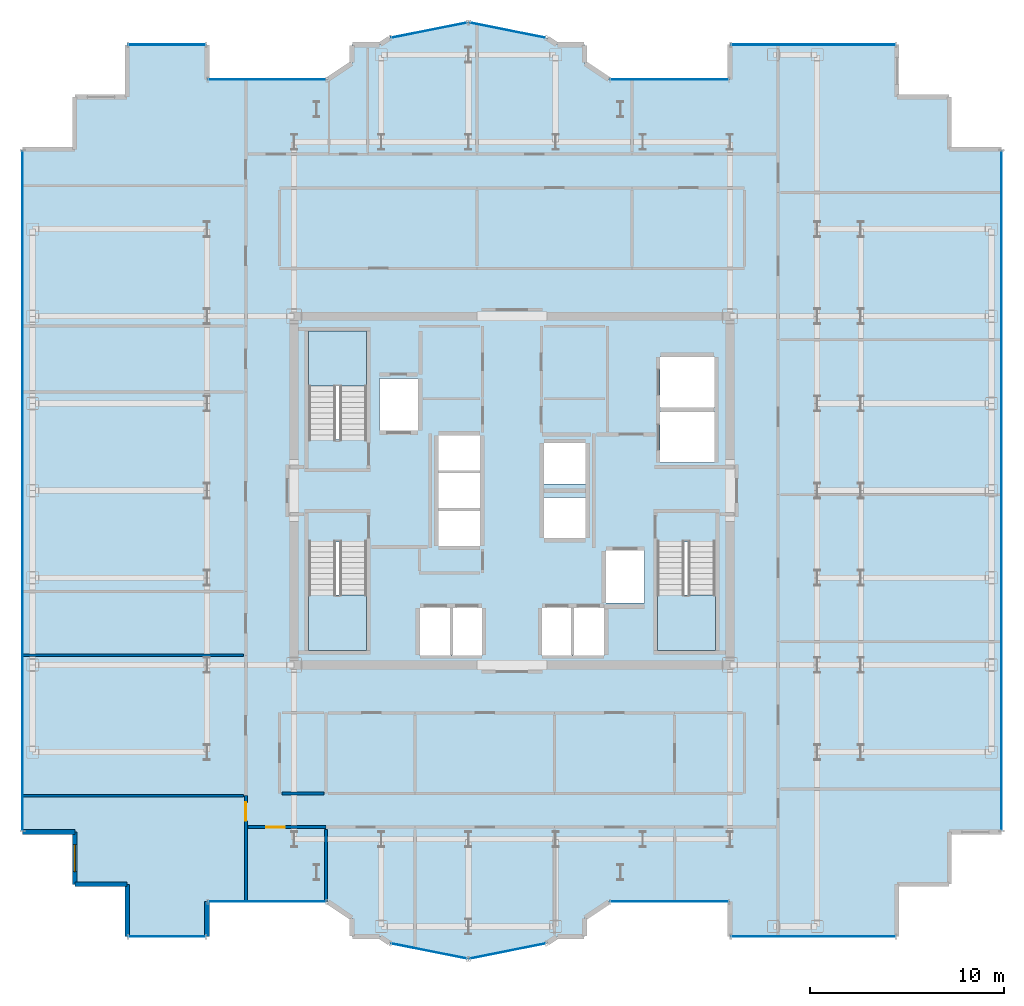
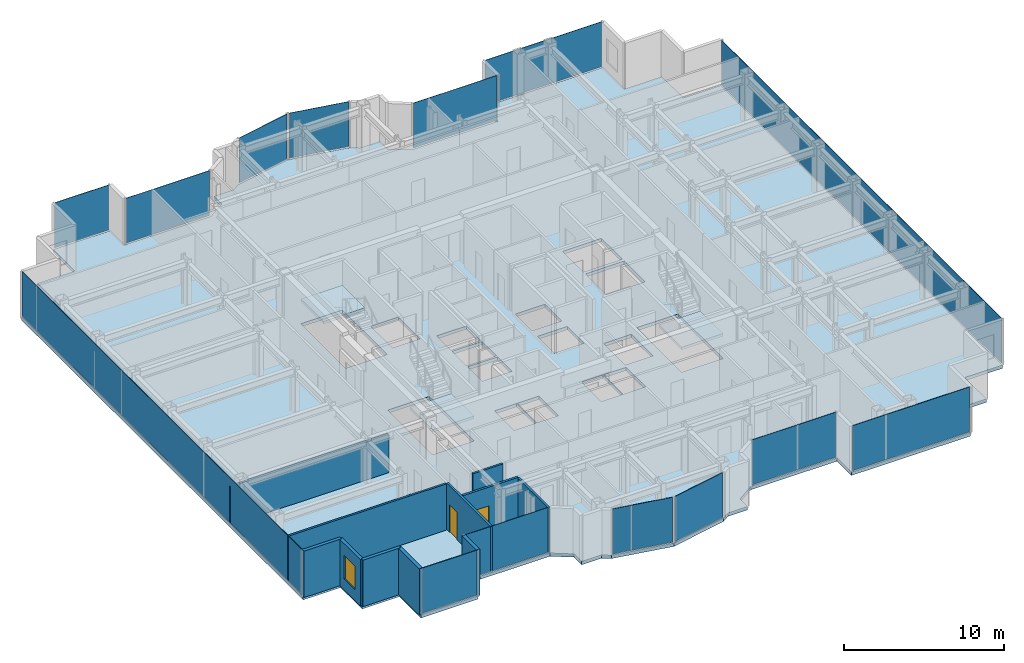
# One storey, part 13 of 20: 14 plates, 11 walls, 4 slabs, 2 doors, 1 window, 3 openings, 17 elements without a shape of their own.
"""IFC4 building model written with IfcOpenShell, lengths in metres."""

from ifc_helpers import new_model, si_unit, direction, frame, frame_2d, origin, origin_2d, place, context, subcontext, project, spatial, polyline, rectangle, outline, extrude, source, transform, mapped, material, layer, layer_set, type_object, element, fill, aggregate, save


model = new_model("IFC4")

# Units and contexts
model_context = context("Model", 3, precision=1e-05, world=origin(), true_north=direction((0.0, 1.0)))
body_context = subcontext(model_context, "Body", "Model", "MODEL_VIEW")
ifc_project = project(units=[si_unit("LENGTHUNIT", "METRE"), si_unit("AREAUNIT", "SQUARE_METRE"), si_unit("VOLUMEUNIT", "CUBIC_METRE"), si_unit("PLANEANGLEUNIT", "RADIAN"), si_unit("MASSUNIT", "GRAM", prefix="KILO")], contexts=[model_context])

# Site, building, storey
site_placement = place(None, origin())
site = spatial("IfcSite", under=ifc_project, at=site_placement, CompositionType="ELEMENT")
building_placement = place(site_placement, origin())
building = spatial("IfcBuilding", under=site, at=building_placement, Name="Nefas-Gora Pilgrimage Tower", CompositionType="ELEMENT")
storey_placement = place(building_placement, frame((0.0, 0.0, 237.0)))
storey = spatial("IfcBuildingStorey", under=building, at=storey_placement, Name="L59", CompositionType="ELEMENT", Elevation=237.0)

# Slab
ifc_material_1 = material(Name="Concrete C40/50", Category="concrete")
ifc_layer_1 = layer(ifc_material_1, 0.25)
ifc_layer_set_1 = layer_set([ifc_layer_1], Name="Concrete C40/50")
slab_type_1 = type_object("IfcSlabType", Name="SLB-TWR-260", PredefinedType="FLOOR", material=ifc_layer_set_1)
slab_1_placement = place(storey_placement, frame((0.0, 0.0, -0.25)))
element("IfcSlab", 1, at=slab_1_placement, inside=storey, type_object=slab_type_1, Name="L59 Structural Floor Slab", PredefinedType="FLOOR", context=body_context, shape_type="SweptSolid", body=[
    extrude(outline(polyline([(5.01806640625, -21.219970703125), (11.25, -21.219970703125), (11.25, -23.02001953125), (19.8701171875, -23.02001953125), (19.8701171875, -20.320068359375), (22.570068359375, -20.320068359375), (22.570068359375, -17.6201171875), (25.27001953125, -17.6201171875), (25.27001953125, 17.6201171875), (22.570068359375, 17.6201171875), (22.570068359375, 20.320068359375), (19.8701171875, 20.320068359375), (19.8701171875, 23.02001953125), (11.25, 23.02001953125), (11.25, 21.219970703125), (5.01806640625, 21.219970703125), (3.75, 22.0673828125), (3.75, 23.02001953125), (2.32421875, 23.02001953125), (1.807373046875, 23.365234375), (-2.25, 24.17236328125), (-6.307373046875, 23.365234375), (-6.82421875, 23.02001953125), (-8.25, 23.02001953125), (-8.25, 22.0673828125), (-9.51806640625, 21.219970703125), (-15.75, 21.219970703125), (-15.75, 23.02001953125), (-19.8701171875, 23.02001953125), (-19.8701171875, 20.320068359375), (-22.570068359375, 20.320068359375), (-22.570068359375, 17.6201171875), (-25.27001953125, 17.6201171875), (-25.27001953125, -17.6201171875), (-22.570068359375, -17.6201171875), (-22.570068359375, -20.320068359375), (-19.8701171875, -20.320068359375), (-19.8701171875, -23.02001953125), (-15.75, -23.02001953125), (-15.75, -21.219970703125), (-9.51806640625, -21.219970703125), (-8.25, -22.0673828125), (-8.25, -23.02001953125), (-6.82421875, -23.02001953125), (-6.307373046875, -23.365234375), (-2.25, -24.17236328125), (1.807373046875, -23.365234375), (2.32421875, -23.02001953125), (3.75, -23.02001953125), (3.75, -22.0673828125), (5.01806640625, -21.219970703125)]), holes=[polyline([(-10.5, 2.639892578125), (-10.5, 8.25), (-7.5, 8.25), (-7.5, 2.639892578125), (-10.5, 2.639892578125)]), polyline([(10.5, -2.639892578125), (10.5, -8.25), (7.5, -8.25), (7.5, -2.639892578125), (10.5, -2.639892578125)]), polyline([(-7.5, -2.639892578125), (-7.5, -8.25), (-10.5, -8.25), (-10.5, -2.639892578125), (-7.5, -2.639892578125)]), polyline([(-6.85009765625, 5.800048828125), (-4.85009765625, 5.800048828125), (-4.85009765625, 3.10009765625), (-6.85009765625, 3.10009765625), (-6.85009765625, 5.800048828125)]), polyline([(4.85009765625, -3.10009765625), (6.85009765625, -3.10009765625), (6.85009765625, -5.800048828125), (4.85009765625, -5.800048828125), (4.85009765625, -3.10009765625)]), polyline([(7.64990234375, 4.050048828125), (10.449951171875, 4.050048828125), (10.449951171875, 1.449951171875), (7.64990234375, 1.449951171875), (7.64990234375, 4.050048828125)]), polyline([(7.64990234375, 6.89990234375), (10.449951171875, 6.89990234375), (10.449951171875, 4.300048828125), (7.64990234375, 4.300048828125), (7.64990234375, 6.89990234375)]), polyline([(-4.75, -6.050048828125), (-3.14990234375, -6.050048828125), (-3.14990234375, -8.5), (-4.75, -8.5), (-4.75, -6.050048828125)]), polyline([(-3.10009765625, -6.050048828125), (-1.550048828125, -6.050048828125), (-1.550048828125, -8.5), (-3.10009765625, -8.5), (-3.10009765625, -6.050048828125)]), polyline([(1.550048828125, -6.050048828125), (3.10009765625, -6.050048828125), (3.10009765625, -8.5), (1.550048828125, -8.5), (1.550048828125, -6.050048828125)]), polyline([(3.14990234375, -6.050048828125), (4.75, -6.050048828125), (4.75, -8.5), (3.14990234375, -8.5), (3.14990234375, -6.050048828125)]), polyline([(-3.800048828125, -1.050048828125), (-1.64990234375, -1.050048828125), (-1.64990234375, -2.85009765625), (-3.800048828125, -2.85009765625), (-3.800048828125, -1.050048828125)]), polyline([(-3.800048828125, 0.89990234375), (-1.64990234375, 0.89990234375), (-1.64990234375, -0.89990234375), (-3.800048828125, -0.89990234375), (-3.800048828125, 0.89990234375)]), polyline([(-3.800048828125, 2.85009765625), (-1.64990234375, 2.85009765625), (-1.64990234375, 1.050048828125), (-3.800048828125, 1.050048828125), (-3.800048828125, 2.85009765625)]), polyline([(1.64990234375, -0.35009765625), (3.800048828125, -0.35009765625), (3.800048828125, -2.449951171875), (1.64990234375, -2.449951171875), (1.64990234375, -0.35009765625)]), polyline([(1.64990234375, 2.449951171875), (3.800048828125, 2.449951171875), (3.800048828125, 0.35009765625), (1.64990234375, 0.35009765625), (1.64990234375, 2.449951171875)])]), origin(), (0.0, 0.0, 1.0), 0.25),
])

# Stair, slab
ifc_material_2 = material(Name="Concrete C45/55", Category="concrete")
stair_type = type_object("IfcStairType", Name="STR-1400-R1727", PredefinedType="HALF_TURN_STAIR", material=ifc_material_2)
stair_1_placement = place(storey_placement, origin())
stair_1 = element("IfcStair", 2, at=stair_1_placement, inside=storey, type_object=stair_type, Name="L59 Pressurised Tower Exit Stair ST-01", PredefinedType="HALF_TURN_STAIR")
ifc_layer_2 = layer(ifc_material_1, 0.199951171875)
ifc_layer_set_2 = layer_set([ifc_layer_2], Name="Concrete C40/50")
slab_type_2 = type_object("IfcSlabType", Name="STR-LAND-200", PredefinedType="LANDING", material=ifc_layer_set_2)
slab_2_placement = place(storey_placement, frame((0.0, 0.0, 1.699951171875)))
slab_2 = element("IfcSlab", 3, at=slab_2_placement, type_object=slab_type_2, Name="ST-01 landing 1", PredefinedType="LANDING", context=body_context, shape_type="SweptSolid", body=[
    extrude(outline(polyline([(-7.5, 5.39990234375), (-7.5, 8.25), (-10.5, 8.25), (-10.5, 5.39990234375), (-7.5, 5.39990234375)])), origin(), (0.0, 0.0, 1.0), 0.199951171875),
])
aggregate(stair_1, [slab_2])

stair_2_placement = place(storey_placement, origin())
stair_2 = element("IfcStair", 4, at=stair_2_placement, inside=storey, type_object=stair_type, Name="L59 Pressurised Tower Exit Stair ST-02", PredefinedType="HALF_TURN_STAIR")
slab_3_placement = place(storey_placement, frame((0.0, 0.0, 1.699951171875)))
slab_3 = element("IfcSlab", 5, at=slab_3_placement, type_object=slab_type_2, Name="ST-02 landing 1", PredefinedType="LANDING", context=body_context, shape_type="SweptSolid", body=[
    extrude(outline(polyline([(7.5, -5.39990234375), (7.5, -8.25), (10.5, -8.25), (10.5, -5.39990234375), (7.5, -5.39990234375)])), origin(), (0.0, 0.0, 1.0), 0.199951171875),
])
aggregate(stair_2, [slab_3])

stair_3_placement = place(storey_placement, origin())
stair_3 = element("IfcStair", 6, at=stair_3_placement, inside=storey, type_object=stair_type, Name="L59 Pressurised Tower Exit Stair ST-03", PredefinedType="HALF_TURN_STAIR")
slab_4_placement = place(storey_placement, frame((0.0, 0.0, 1.699951171875)))
slab_4 = element("IfcSlab", 7, at=slab_4_placement, type_object=slab_type_2, Name="ST-03 landing 1", PredefinedType="LANDING", context=body_context, shape_type="SweptSolid", body=[
    extrude(outline(polyline([(-10.5, -5.39990234375), (-10.5, -8.25), (-7.5, -8.25), (-7.5, -5.39990234375), (-10.5, -5.39990234375)])), origin(), (0.0, 0.0, 1.0), 0.199951171875),
])
aggregate(stair_3, [slab_4])

# Curtain wall, plate
ifc_material_3 = material(Name="Dark ceramic-fritted solar-control aluminium-glass curtain wall", Category="aluminium")
ifc_layer_3 = layer(ifc_material_3, 0.219970703125)
ifc_layer_set_3 = layer_set([ifc_layer_3], Name="Dark ceramic-fritted solar-control aluminium-glass curtain wall")
curtain_wall_type_1 = type_object("IfcCurtainWallType", Name="CW-SYS-5", PredefinedType="NOTDEFINED", material=ifc_layer_set_3)
curtain_wall_1_placement = place(storey_placement, origin())
curtain_wall_1 = element("IfcCurtainWall", 8, at=curtain_wall_1_placement, inside=storey, type_object=curtain_wall_type_1, Name="L59 Unitised Curtain Wall CW5", PredefinedType="NOTDEFINED")
ifc_material_4 = material(Name="Dark ceramic-printed low-e insulated glass", Category="glass")
ifc_layer_4 = layer(ifc_material_4, 0.028076171875)
ifc_layer_set_4 = layer_set([ifc_layer_4], Name="Dark ceramic-printed low-e insulated glass")
plate_type_1 = type_object("IfcPlateType", Name="CWP-PNL-5", PredefinedType="CURTAIN_PANEL", material=ifc_layer_set_4)
shared_shape_1 = source(origin(), body_context, "Body", "SweptSolid", [
    extrude(rectangle(XDim=6.052001953125, YDim=0.028076171875, at=origin_2d()), origin(), (0.0, 0.0, 1.0), 3.43994140625),
])
plate_1_placement = place(storey_placement, frame((8.134033203125, -21.219970703125, 0.10009765625), z_axis=(0.0, 0.0, 1.0), x_axis=(1.0, 0.0, 0.0)))
plate_1 = element("IfcPlate", 9, at=plate_1_placement, type_object=plate_type_1, Name="CW5 Ceramic-Fritted Glazing Panel 1", PredefinedType="CURTAIN_PANEL", context=body_context, shape_type="MappedRepresentation", body=[
    mapped(shared_shape_1, transform((0.0, 0.0, 0.0), x_axis=(1.0, 0.0, 0.0), y_axis=(0.0, 1.0, 0.0), z_axis=(0.0, 0.0, 1.0), scale=1.0)),
])
aggregate(curtain_wall_1, [plate_1])

curtain_wall_2_placement = place(storey_placement, origin())
curtain_wall_2 = element("IfcCurtainWall", 10, at=curtain_wall_2_placement, inside=storey, type_object=curtain_wall_type_1, Name="L59 Unitised Curtain Wall CW5", PredefinedType="NOTDEFINED")
plate_2_placement = place(storey_placement, frame((8.134033203125, 21.219970703125, 0.10009765625), z_axis=(0.0, 0.0, 1.0), x_axis=(-1.0, 0.0, 0.0)))
plate_2 = element("IfcPlate", 11, at=plate_2_placement, type_object=plate_type_1, Name="CW5 Ceramic-Fritted Glazing Panel 1", PredefinedType="CURTAIN_PANEL", context=body_context, shape_type="MappedRepresentation", body=[
    mapped(shared_shape_1, transform((0.0, 0.0, 0.0), x_axis=(1.0, 0.0, 0.0), y_axis=(0.0, 1.0, 0.0), z_axis=(0.0, 0.0, 1.0), scale=1.0)),
])
aggregate(curtain_wall_2, [plate_2])

curtain_wall_3_placement = place(storey_placement, origin())
curtain_wall_3 = element("IfcCurtainWall", 12, at=curtain_wall_3_placement, inside=storey, type_object=curtain_wall_type_1, Name="L59 Unitised Curtain Wall CW5", PredefinedType="NOTDEFINED")
plate_3_placement = place(storey_placement, frame((-12.634033203125, 21.219970703125, 0.10009765625), z_axis=(0.0, 0.0, 1.0), x_axis=(-1.0, 0.0, 0.0)))
plate_3 = element("IfcPlate", 13, at=plate_3_placement, type_object=plate_type_1, Name="CW5 Ceramic-Fritted Glazing Panel 1", PredefinedType="CURTAIN_PANEL", context=body_context, shape_type="MappedRepresentation", body=[
    mapped(shared_shape_1, transform((0.0, 0.0, 0.0), x_axis=(1.0, 0.0, 0.0), y_axis=(0.0, 1.0, 0.0), z_axis=(0.0, 0.0, 1.0), scale=1.0)),
])
aggregate(curtain_wall_3, [plate_3])

curtain_wall_4_placement = place(storey_placement, origin())
curtain_wall_4 = element("IfcCurtainWall", 14, at=curtain_wall_4_placement, inside=storey, type_object=curtain_wall_type_1, Name="L59 Unitised Curtain Wall CW5", PredefinedType="NOTDEFINED")
plate_4_placement = place(storey_placement, frame((-12.634033203125, -21.219970703125, 0.10009765625), z_axis=(0.0, 0.0, 1.0), x_axis=(1.0, 0.0, 0.0)))
plate_4 = element("IfcPlate", 15, at=plate_4_placement, type_object=plate_type_1, Name="CW5 Ceramic-Fritted Glazing Panel 1", PredefinedType="CURTAIN_PANEL", context=body_context, shape_type="MappedRepresentation", body=[
    mapped(shared_shape_1, transform((0.0, 0.0, 0.0), x_axis=(1.0, 0.0, 0.0), y_axis=(0.0, 1.0, 0.0), z_axis=(0.0, 0.0, 1.0), scale=1.0)),
])
aggregate(curtain_wall_4, [plate_4])

curtain_wall_5_placement = place(storey_placement, origin())
curtain_wall_5 = element("IfcCurtainWall", 16, at=curtain_wall_5_placement, inside=storey, type_object=curtain_wall_type_1, Name="L59 Unitised Curtain Wall CW5", PredefinedType="NOTDEFINED")
shared_shape_2 = source(origin(), body_context, "Body", "SweptSolid", [
    extrude(rectangle(XDim=3.956787109375, YDim=0.028076171875, at=origin_2d()), origin(), (0.0, 0.0, 1.0), 3.43994140625),
])
plate_5_placement = place(storey_placement, frame((-0.22119140625, 23.768798828125, 0.10009765625), z_axis=(0.0, 0.0, 1.0), x_axis=(-0.980782896852, 0.195102304554, 0.0)))
plate_5 = element("IfcPlate", 17, at=plate_5_placement, type_object=plate_type_1, Name="CW5 Ceramic-Fritted Glazing Panel 1", PredefinedType="CURTAIN_PANEL", context=body_context, shape_type="MappedRepresentation", body=[
    mapped(shared_shape_2, transform((0.0, 0.0, 0.0), x_axis=(1.0, 0.0, 0.0), y_axis=(0.0, 1.0, 0.0), z_axis=(0.0, 0.0, 1.0), scale=1.0)),
])
aggregate(curtain_wall_5, [plate_5])

curtain_wall_6_placement = place(storey_placement, origin())
curtain_wall_6 = element("IfcCurtainWall", 18, at=curtain_wall_6_placement, inside=storey, type_object=curtain_wall_type_1, Name="L59 Unitised Curtain Wall CW5", PredefinedType="NOTDEFINED")
plate_6_placement = place(storey_placement, frame((-4.278564453125, 23.768798828125, 0.10009765625), z_axis=(0.0, 0.0, 1.0), x_axis=(-0.980782896852, -0.195102304554, 0.0)))
plate_6 = element("IfcPlate", 19, at=plate_6_placement, type_object=plate_type_1, Name="CW5 Ceramic-Fritted Glazing Panel 1", PredefinedType="CURTAIN_PANEL", context=body_context, shape_type="MappedRepresentation", body=[
    mapped(shared_shape_2, transform((0.0, 0.0, 0.0), x_axis=(1.0, 0.0, 0.0), y_axis=(0.0, 1.0, 0.0), z_axis=(0.0, 0.0, 1.0), scale=1.0)),
])
aggregate(curtain_wall_6, [plate_6])

curtain_wall_7_placement = place(storey_placement, origin())
curtain_wall_7 = element("IfcCurtainWall", 20, at=curtain_wall_7_placement, inside=storey, type_object=curtain_wall_type_1, Name="L59 Unitised Curtain Wall CW5", PredefinedType="NOTDEFINED")
plate_7_placement = place(storey_placement, frame((-4.278564453125, -23.768798828125, 0.10009765625), z_axis=(0.0, 0.0, 1.0), x_axis=(0.980782896852, -0.195102304554, 0.0)))
plate_7 = element("IfcPlate", 21, at=plate_7_placement, type_object=plate_type_1, Name="CW5 Ceramic-Fritted Glazing Panel 1", PredefinedType="CURTAIN_PANEL", context=body_context, shape_type="MappedRepresentation", body=[
    mapped(shared_shape_2, transform((0.0, 0.0, 0.0), x_axis=(1.0, 0.0, 0.0), y_axis=(0.0, 1.0, 0.0), z_axis=(0.0, 0.0, 1.0), scale=1.0)),
])
aggregate(curtain_wall_7, [plate_7])

curtain_wall_8_placement = place(storey_placement, origin())
curtain_wall_8 = element("IfcCurtainWall", 22, at=curtain_wall_8_placement, inside=storey, type_object=curtain_wall_type_1, Name="L59 Unitised Curtain Wall CW5", PredefinedType="NOTDEFINED")
plate_8_placement = place(storey_placement, frame((-0.221435546875, -23.768798828125, 0.10009765625), z_axis=(0.0, 0.0, 1.0), x_axis=(0.980782896852, 0.195102304554, 0.0)))
plate_8 = element("IfcPlate", 23, at=plate_8_placement, type_object=plate_type_1, Name="CW5 Ceramic-Fritted Glazing Panel 1", PredefinedType="CURTAIN_PANEL", context=body_context, shape_type="MappedRepresentation", body=[
    mapped(shared_shape_2, transform((0.0, 0.0, 0.0), x_axis=(1.0, 0.0, 0.0), y_axis=(0.0, 1.0, 0.0), z_axis=(0.0, 0.0, 1.0), scale=1.0)),
])
aggregate(curtain_wall_8, [plate_8])

ifc_layer_5 = layer(ifc_material_3, 0.219970703125)
ifc_layer_set_5 = layer_set([ifc_layer_5], Name="Dark ceramic-fritted solar-control aluminium-glass curtain wall")
curtain_wall_type_2 = type_object("IfcCurtainWallType", Name="CW-SYS-3", PredefinedType="NOTDEFINED", material=ifc_layer_set_5)
curtain_wall_9_placement = place(storey_placement, origin())
curtain_wall_9 = element("IfcCurtainWall", 24, at=curtain_wall_9_placement, inside=storey, type_object=curtain_wall_type_2, Name="L59 Unitised Curtain Wall CW3", PredefinedType="NOTDEFINED")
ifc_layer_6 = layer(ifc_material_4, 0.033935546875)
ifc_layer_set_6 = layer_set([ifc_layer_6], Name="Dark ceramic-printed low-e insulated glass")
plate_type_2 = type_object("IfcPlateType", Name="CWP-PNL-3", PredefinedType="CURTAIN_PANEL", material=ifc_layer_set_6)
shared_shape_3 = source(origin(), body_context, "Body", "SweptSolid", [
    extrude(rectangle(XDim=8.43994140625, YDim=0.033935546875, at=origin_2d()), origin(), (0.0, 0.0, 1.0), 3.43994140625),
])
plate_9_placement = place(storey_placement, frame((15.56005859375, -23.02001953125, 0.10009765625), z_axis=(0.0, 0.0, 1.0), x_axis=(1.0, 0.0, 0.0)))
plate_9 = element("IfcPlate", 25, at=plate_9_placement, type_object=plate_type_2, Name="CW3 Ceramic-Fritted Glazing Panel 1", PredefinedType="CURTAIN_PANEL", context=body_context, shape_type="MappedRepresentation", body=[
    mapped(shared_shape_3, transform((0.0, 0.0, 0.0), x_axis=(1.0, 0.0, 0.0), y_axis=(0.0, 1.0, 0.0), z_axis=(0.0, 0.0, 1.0), scale=1.0)),
])
aggregate(curtain_wall_9, [plate_9])

curtain_wall_10_placement = place(storey_placement, origin())
curtain_wall_10 = element("IfcCurtainWall", 26, at=curtain_wall_10_placement, inside=storey, type_object=curtain_wall_type_2, Name="L59 Unitised Curtain Wall CW3", PredefinedType="NOTDEFINED")
plate_10_placement = place(storey_placement, frame((15.56005859375, 23.02001953125, 0.10009765625), z_axis=(0.0, 0.0, 1.0), x_axis=(-1.0, 0.0, 0.0)))
plate_10 = element("IfcPlate", 27, at=plate_10_placement, type_object=plate_type_2, Name="CW3 Ceramic-Fritted Glazing Panel 1", PredefinedType="CURTAIN_PANEL", context=body_context, shape_type="MappedRepresentation", body=[
    mapped(shared_shape_3, transform((0.0, 0.0, 0.0), x_axis=(1.0, 0.0, 0.0), y_axis=(0.0, 1.0, 0.0), z_axis=(0.0, 0.0, 1.0), scale=1.0)),
])
aggregate(curtain_wall_10, [plate_10])

curtain_wall_11_placement = place(storey_placement, origin())
curtain_wall_11 = element("IfcCurtainWall", 28, at=curtain_wall_11_placement, inside=storey, type_object=curtain_wall_type_2, Name="L59 Unitised Curtain Wall CW3", PredefinedType="NOTDEFINED")
shared_shape_4 = source(origin(), body_context, "Body", "SweptSolid", [
    extrude(rectangle(XDim=35.06005859375, YDim=0.033935546875, at=origin_2d()), origin(), (0.0, 0.0, 1.0), 3.43994140625),
])
plate_11_placement = place(storey_placement, frame((25.27001953125, 0.0, 0.10009765625), z_axis=(0.0, 0.0, 1.0), x_axis=(0.0, 1.0, 0.0)))
plate_11 = element("IfcPlate", 29, at=plate_11_placement, type_object=plate_type_2, Name="CW3 Ceramic-Fritted Glazing Panel 1", PredefinedType="CURTAIN_PANEL", context=body_context, shape_type="MappedRepresentation", body=[
    mapped(shared_shape_4, transform((0.0, 0.0, 0.0), x_axis=(1.0, 0.0, 0.0), y_axis=(0.0, 1.0, 0.0), z_axis=(0.0, 0.0, 1.0), scale=1.0)),
])
aggregate(curtain_wall_11, [plate_11])

curtain_wall_12_placement = place(storey_placement, origin())
curtain_wall_12 = element("IfcCurtainWall", 30, at=curtain_wall_12_placement, inside=storey, type_object=curtain_wall_type_2, Name="L59 Unitised Curtain Wall CW3", PredefinedType="NOTDEFINED")
plate_12_placement = place(storey_placement, frame((-25.27001953125, 0.0, 0.10009765625), z_axis=(0.0, 0.0, 1.0), x_axis=(0.0, -1.0, 0.0)))
plate_12 = element("IfcPlate", 31, at=plate_12_placement, type_object=plate_type_2, Name="CW3 Ceramic-Fritted Glazing Panel 1", PredefinedType="CURTAIN_PANEL", context=body_context, shape_type="MappedRepresentation", body=[
    mapped(shared_shape_4, transform((0.0, 0.0, 0.0), x_axis=(1.0, 0.0, 0.0), y_axis=(0.0, 1.0, 0.0), z_axis=(0.0, 0.0, 1.0), scale=1.0)),
])
aggregate(curtain_wall_12, [plate_12])

curtain_wall_13_placement = place(storey_placement, origin())
curtain_wall_13 = element("IfcCurtainWall", 32, at=curtain_wall_13_placement, inside=storey, type_object=curtain_wall_type_2, Name="L59 Unitised Curtain Wall CW3", PredefinedType="NOTDEFINED")
shared_shape_5 = source(origin(), body_context, "Body", "SweptSolid", [
    extrude(rectangle(XDim=3.93994140625, YDim=0.033935546875, at=origin_2d()), origin(), (0.0, 0.0, 1.0), 3.43994140625),
])
plate_13_placement = place(storey_placement, frame((-17.81005859375, 23.02001953125, 0.10009765625), z_axis=(0.0, 0.0, 1.0), x_axis=(-1.0, 0.0, 0.0)))
plate_13 = element("IfcPlate", 33, at=plate_13_placement, type_object=plate_type_2, Name="CW3 Ceramic-Fritted Glazing Panel 1", PredefinedType="CURTAIN_PANEL", context=body_context, shape_type="MappedRepresentation", body=[
    mapped(shared_shape_5, transform((0.0, 0.0, 0.0), x_axis=(1.0, 0.0, 0.0), y_axis=(0.0, 1.0, 0.0), z_axis=(0.0, 0.0, 1.0), scale=1.0)),
])
aggregate(curtain_wall_13, [plate_13])

curtain_wall_14_placement = place(storey_placement, origin())
curtain_wall_14 = element("IfcCurtainWall", 34, at=curtain_wall_14_placement, inside=storey, type_object=curtain_wall_type_2, Name="L59 Unitised Curtain Wall CW3", PredefinedType="NOTDEFINED")
plate_14_placement = place(storey_placement, frame((-17.81005859375, -23.02001953125, 0.10009765625), z_axis=(0.0, 0.0, 1.0), x_axis=(1.0, 0.0, 0.0)))
plate_14 = element("IfcPlate", 35, at=plate_14_placement, type_object=plate_type_2, Name="CW3 Ceramic-Fritted Glazing Panel 1", PredefinedType="CURTAIN_PANEL", context=body_context, shape_type="MappedRepresentation", body=[
    mapped(shared_shape_5, transform((0.0, 0.0, 0.0), x_axis=(1.0, 0.0, 0.0), y_axis=(0.0, 1.0, 0.0), z_axis=(0.0, 0.0, 1.0), scale=1.0)),
])
aggregate(curtain_wall_14, [plate_14])

# Walls
ifc_material_5 = material(Name="Precast concrete C40/50", Category="concrete")
ifc_layer_7 = layer(ifc_material_5, 0.260009765625)
ifc_layer_set_7 = layer_set([ifc_layer_7], Name="Precast concrete C40/50")
wall_type_1 = type_object("IfcWallType", Name="EW-PORTAL-260", PredefinedType="SOLIDWALL", material=ifc_layer_set_7)
shared_shape_6 = source(origin(), body_context, "Body", "SweptSolid", [
    extrude(rectangle(XDim=1.800048828125, YDim=0.260009765625, at=frame_2d((0.89990234375, 0.0))), origin(), (0.0, 0.0, 1.0), 3.550048828125),
])
wall_1_placement = place(storey_placement, frame((-15.75, -23.02001953125, 0.0), z_axis=(0.0, 0.0, 1.0), x_axis=(0.0, 1.0, 0.0)))
element("IfcWall", 36, at=wall_1_placement, inside=storey, type_object=wall_type_1, Name="L59 Lobe Shoulder Precast Spandrel Pier 28", PredefinedType="SOLIDWALL", context=body_context, shape_type="MappedRepresentation", body=[
    mapped(shared_shape_6, transform((0.0, 0.0, 0.0), x_axis=(1.0, 0.0, 0.0), y_axis=(0.0, 1.0, 0.0), z_axis=(0.0, 0.0, 1.0), scale=1.0)),
])
ifc_material_6 = material(Name="Precast concrete C45/55", Category="concrete")
ifc_layer_8 = layer(ifc_material_6, 0.239990234375)
ifc_layer_set_8 = layer_set([ifc_layer_8], Name="Precast concrete C45/55")
wall_type_2 = type_object("IfcWallType", Name="EW-SERR-240", PredefinedType="SHEAR", material=ifc_layer_set_8)
shared_shape_7 = source(origin(), body_context, "Body", "SweptSolid", [
    extrude(rectangle(XDim=2.699951171875, YDim=0.239990234375, at=frame_2d((1.35009765625, 0.0))), origin(), (0.0, 0.0, 1.0), 3.550048828125),
])
wall_2_placement = place(storey_placement, frame((-25.27001953125, -17.6201171875, 0.0), z_axis=(0.0, 0.0, 1.0), x_axis=(1.0, 0.0, 0.0)))
element("IfcWall", 37, at=wall_2_placement, inside=storey, type_object=wall_type_2, Name="L59 Serrated Corner Shear Pier Wall 24", PredefinedType="SHEAR", context=body_context, shape_type="MappedRepresentation", body=[
    mapped(shared_shape_7, transform((0.0, 0.0, 0.0), x_axis=(1.0, 0.0, 0.0), y_axis=(0.0, 1.0, 0.0), z_axis=(0.0, 0.0, 1.0), scale=1.0)),
])

# Wall, opening, window
wall_3_placement = place(storey_placement, frame((-22.570068359375, -17.6201171875, 0.0), z_axis=(0.0, 0.0, 1.0), x_axis=(0.0, -1.0, 0.0)))
wall_3 = element("IfcWall", 38, at=wall_3_placement, inside=storey, type_object=wall_type_2, Name="L59 Serrated Corner Shear Pier Wall 25", PredefinedType="SHEAR", context=body_context, shape_type="MappedRepresentation", body=[
    mapped(shared_shape_7, transform((0.0, 0.0, 0.0), x_axis=(1.0, 0.0, 0.0), y_axis=(0.0, 1.0, 0.0), z_axis=(0.0, 0.0, 1.0), scale=1.0)),
])
opening_1_placement = place(wall_3_placement, frame((0.64990234375, 0.0, 0.85009765625)))
opening_1 = element("IfcOpeningElement", 39, at=opening_1_placement, cuts=wall_3, Name="Opening W-V2", PredefinedType="OPENING", context=body_context, shape_type="SweptSolid", body=[
    extrude(rectangle(XDim=1.39990234375, YDim=1.800048828125, at=frame_2d((0.699951171875, 0.89990234375))), frame((0.0, 0.1298828125, 0.0), z_axis=(0.0, -1.0, 0.0), x_axis=(1.0, 0.0, 0.0)), (0.0, 0.0, 1.0), 0.260009765625),
])
ifc_material_7 = material(Name="Dark ceramic-fritted operable aluminium-glass window", Category="aluminium")
window_type = type_object("IfcWindowType", Name="WIN-VENT-1400x1800", PartitioningType="SINGLE_PANEL", PredefinedType="WINDOW", material=ifc_material_7)
shared_shape_8 = source(origin(), body_context, "Body", "SweptSolid", [
    extrude(rectangle(XDim=1.39990234375, YDim=1.800048828125, at=frame_2d((0.699951171875, 0.89990234375))), frame((0.0, 0.030029296875, 0.0), z_axis=(0.0, -1.0, 0.0), x_axis=(1.0, 0.0, 0.0)), (0.0, 0.0, 1.0), 0.06005859375),
])
window_placement = place(opening_1_placement, origin())
window = element("IfcWindow", 40, at=window_placement, inside=storey, type_object=window_type, Name="L59 Operable Parallel-Outswing Window 25", OverallHeight=1.800048828125, OverallWidth=1.39990234375, PartitioningType="SINGLE_PANEL", PredefinedType="WINDOW", context=body_context, shape_type="MappedRepresentation", body=[
    mapped(shared_shape_8, transform((0.0, 0.0, 0.0), x_axis=(1.0, 0.0, 0.0), y_axis=(0.0, 1.0, 0.0), z_axis=(0.0, 0.0, 1.0), scale=1.0)),
])
fill(opening_1, window)

# Walls
for number, where, z_axis, x_axis, name in (
    (41, (-22.570068359375, -20.320068359375, 0.0), (0.0, 0.0, 1.0), (1.0, 0.0, 0.0), "L59 Serrated Corner Shear Pier Wall 26"),
    (42, (-19.8701171875, -20.320068359375, 0.0), (0.0, 0.0, 1.0), (0.0, -1.0, 0.0), "L59 Serrated Corner Shear Pier Wall 27"),
):
    element("IfcWall", number, at=place(storey_placement, frame(where, z_axis=z_axis, x_axis=x_axis)), inside=storey, type_object=wall_type_2, Name=name, PredefinedType="SHEAR", context=body_context, shape_type="MappedRepresentation", body=[
        mapped(shared_shape_7, transform((0.0, 0.0, 0.0), x_axis=(1.0, 0.0, 0.0), y_axis=(0.0, 1.0, 0.0), z_axis=(0.0, 0.0, 1.0), scale=1.0)),
    ])

# Wall, opening, door
ifc_material_8 = material(Name="Gypsum acoustic stud partition")
ifc_layer_9 = layer(ifc_material_8, 0.159912109375)
ifc_layer_set_9 = layer_set([ifc_layer_9], Name="Gypsum acoustic stud partition")
wall_type_3 = type_object("IfcWallType", Name="IW-CORR-160", PredefinedType="PARTITIONING", material=ifc_layer_set_9)
shared_shape_9 = source(origin(), body_context, "Body", "SweptSolid", [
    extrude(rectangle(XDim=4.025146484375, YDim=0.159912109375, at=frame_2d((2.0126953125, 0.0))), origin(), (0.0, 0.0, 1.0), 3.534912109375),
])
wall_4_placement = place(storey_placement, frame((-13.6201171875, -17.3701171875, 0.0), z_axis=(0.0, 0.0, 1.0), x_axis=(1.0, 0.0, 0.0)))
wall_4 = element("IfcWall", 43, at=wall_4_placement, inside=storey, type_object=wall_type_3, Name="L59 Pilgrim Contemplative Lounge Partition Wall 72", PredefinedType="PARTITIONING", context=body_context, shape_type="MappedRepresentation", body=[
    mapped(shared_shape_9, transform((0.0, 0.0, 0.0), x_axis=(1.0, 0.0, 0.0), y_axis=(0.0, 1.0, 0.0), z_axis=(0.0, 0.0, 1.0), scale=1.0)),
])
opening_2_placement = place(wall_4_placement, frame((0.933837890625, 0.0, 0.0)))
opening_2 = element("IfcOpeningElement", 44, at=opening_2_placement, cuts=wall_4, Name="Opening ID-GR1", PredefinedType="OPENING", context=body_context, shape_type="SweptSolid", body=[
    extrude(rectangle(XDim=0.949951171875, YDim=2.10009765625, at=frame_2d((0.47509765625, 1.050048828125))), frame((0.0, 0.08984375, 0.0), z_axis=(0.0, -1.0, 0.0), x_axis=(1.0, 0.0, 0.0)), (0.0, 0.0, 1.0), 0.179931640625),
])
ifc_material_9 = material(Name="Solid core oak fire-rated guest entrance door")
door_type = type_object("IfcDoorType", Name="DR-INT-GUEST-950", OperationType="NOTDEFINED", PredefinedType="DOOR", material=ifc_material_9)
shared_shape_10 = source(origin(), body_context, "Body", "SweptSolid", [
    extrude(rectangle(XDim=0.949951171875, YDim=2.10009765625, at=frame_2d((0.47509765625, 1.050048828125))), frame((0.0, 0.02490234375, 0.0), z_axis=(0.0, -1.0, 0.0), x_axis=(1.0, 0.0, 0.0)), (0.0, 0.0, 1.0), 0.050048828125),
])
door_1_placement = place(opening_2_placement, origin())
door_1 = element("IfcDoor", 45, at=door_1_placement, inside=storey, type_object=door_type, Name="L59 Pilgrim Contemplative Lounge Door 33", OperationType="SINGLE_SWING_LEFT", OverallHeight=2.10009765625, OverallWidth=0.949951171875, PredefinedType="DOOR", context=body_context, shape_type="MappedRepresentation", body=[
    mapped(shared_shape_10, transform((0.0, 0.0, 0.0), x_axis=(1.0, 0.0, 0.0), y_axis=(0.0, 1.0, 0.0), z_axis=(0.0, 0.0, 1.0), scale=1.0)),
])
fill(opening_2, door_1)

# Walls
ifc_material_10 = material(Name="Gypsum twin-stud partition")
ifc_layer_10 = layer(ifc_material_10, 0.139892578125)
ifc_layer_set_10 = layer_set([ifc_layer_10], Name="Gypsum twin-stud partition")
wall_type_4 = type_object("IfcWallType", Name="IW-UNIT-140", PredefinedType="PARTITIONING", material=ifc_layer_set_10)
shared_shape_11 = source(origin(), body_context, "Body", "SweptSolid", [
    extrude(rectangle(XDim=11.429931640625, YDim=0.139892578125, at=frame_2d((5.71484375, 0.0))), origin(), (0.0, 0.0, 1.0), 3.534912109375),
])
wall_5_placement = place(storey_placement, frame((-25.2900390625, -15.74755859375, 0.0), z_axis=(0.0, 0.0, 1.0), x_axis=(1.0, 0.0, 0.0)))
element("IfcWall", 46, at=wall_5_placement, inside=storey, type_object=wall_type_4, Name="L59 Pilgrim Devotional Prayer Gallery Partition Wall 33", PredefinedType="PARTITIONING", context=body_context, shape_type="MappedRepresentation", body=[
    mapped(shared_shape_11, transform((0.0, 0.0, 0.0), x_axis=(1.0, 0.0, 0.0), y_axis=(0.0, 1.0, 0.0), z_axis=(0.0, 0.0, 1.0), scale=1.0)),
])
shared_shape_12 = source(origin(), body_context, "Body", "SweptSolid", [
    extrude(rectangle(XDim=3.75, YDim=0.139892578125, at=frame_2d((1.875, 0.0))), origin(), (0.0, 0.0, 1.0), 3.534912109375),
])
wall_6_placement = place(storey_placement, frame((-9.60498046875, -21.239990234375, 0.0), z_axis=(0.0, 0.0, 1.0), x_axis=(0.0, 1.0, 0.0)))
element("IfcWall", 47, at=wall_6_placement, inside=storey, type_object=wall_type_4, Name="L59 Pilgrim Contemplative Lounge Partition Wall 73", PredefinedType="PARTITIONING", context=body_context, shape_type="MappedRepresentation", body=[
    mapped(shared_shape_12, transform((0.0, 0.0, 0.0), x_axis=(1.0, 0.0, 0.0), y_axis=(0.0, 1.0, 0.0), z_axis=(0.0, 0.0, 1.0), scale=1.0)),
])
shared_shape_13 = source(origin(), body_context, "Body", "SweptSolid", [
    extrude(rectangle(XDim=11.429931640625, YDim=0.139892578125, at=frame_2d((5.71484375, 0.0))), origin(), (0.0, 0.0, 1.0), 2.925048828125),
])
wall_7_placement = place(storey_placement, frame((-25.2900390625, -8.5048828125, 0.0), z_axis=(0.0, 0.0, 1.0), x_axis=(1.0, 0.0, 0.0)))
element("IfcWall", 48, at=wall_7_placement, inside=storey, type_object=wall_type_4, Name="L59 Pilgrim Devotional Prayer Gallery Partition Wall 35", PredefinedType="PARTITIONING", context=body_context, shape_type="MappedRepresentation", body=[
    mapped(shared_shape_13, transform((0.0, 0.0, 0.0), x_axis=(1.0, 0.0, 0.0), y_axis=(0.0, 1.0, 0.0), z_axis=(0.0, 0.0, 1.0), scale=1.0)),
])

# Wall, opening, door
shared_shape_14 = source(origin(), body_context, "Body", "SweptSolid", [
    extrude(rectangle(XDim=5.50244140625, YDim=0.159912109375, at=frame_2d((2.751220703125, 0.0))), origin(), (0.0, 0.0, 1.0), 3.534912109375),
])
wall_8_placement = place(storey_placement, frame((-13.739990234375, -21.239990234375, 0.0), z_axis=(0.0, 0.0, 1.0), x_axis=(0.0, 1.0, 0.0)))
wall_8 = element("IfcWall", 49, at=wall_8_placement, inside=storey, type_object=wall_type_3, Name="L59 Pilgrim Devotional Prayer Gallery Partition Wall 32", PredefinedType="PARTITIONING", context=body_context, shape_type="MappedRepresentation", body=[
    mapped(shared_shape_14, transform((0.0, 0.0, 0.0), x_axis=(1.0, 0.0, 0.0), y_axis=(0.0, 1.0, 0.0), z_axis=(0.0, 0.0, 1.0), scale=1.0)),
])
opening_3_placement = place(wall_8_placement, frame((4.191162109375, 0.0, 0.0)))
opening_3 = element("IfcOpeningElement", 50, at=opening_3_placement, cuts=wall_8, Name="Opening ID-GR1", PredefinedType="OPENING", context=body_context, shape_type="SweptSolid", body=[
    extrude(rectangle(XDim=0.949951171875, YDim=2.10009765625, at=frame_2d((0.47509765625, 1.050048828125))), frame((0.0, 0.08984375, 0.0), z_axis=(0.0, -1.0, 0.0), x_axis=(1.0, 0.0, 0.0)), (0.0, 0.0, 1.0), 0.179931640625),
])
door_2_placement = place(opening_3_placement, origin())
door_2 = element("IfcDoor", 51, at=door_2_placement, inside=storey, type_object=door_type, Name="L59 Pilgrim Devotional Prayer Gallery Door 13", OperationType="SINGLE_SWING_LEFT", OverallHeight=2.10009765625, OverallWidth=0.949951171875, PredefinedType="DOOR", context=body_context, shape_type="MappedRepresentation", body=[
    mapped(shared_shape_10, transform((0.0, 0.0, 0.0), x_axis=(1.0, 0.0, 0.0), y_axis=(0.0, 1.0, 0.0), z_axis=(0.0, 0.0, 1.0), scale=1.0)),
])
fill(opening_3, door_2)

# Wall
shared_shape_15 = source(origin(), body_context, "Body", "SweptSolid", [
    extrude(rectangle(XDim=2.164794921875, YDim=0.139892578125, at=frame_2d((1.08251953125, 0.0))), origin(), (0.0, 0.0, 1.0), 3.534912109375),
])
wall_9_placement = place(storey_placement, frame((-11.8798828125, -15.6298828125, 0.0), z_axis=(0.0, 0.0, 1.0), x_axis=(1.0, 0.0, 0.0)))
element("IfcWall", 52, at=wall_9_placement, inside=storey, type_object=wall_type_4, Name="L59 Pilgrim Contemplative Lounge Partition Wall 77", PredefinedType="PARTITIONING", context=body_context, shape_type="MappedRepresentation", body=[
    mapped(shared_shape_15, transform((0.0, 0.0, 0.0), x_axis=(1.0, 0.0, 0.0), y_axis=(0.0, 1.0, 0.0), z_axis=(0.0, 0.0, 1.0), scale=1.0)),
])

save(model, "model.ifc")
